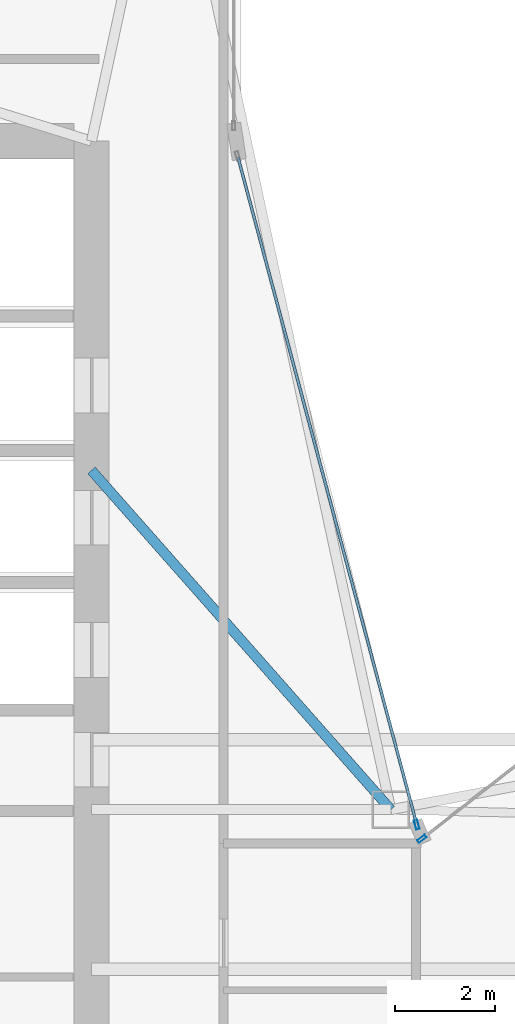
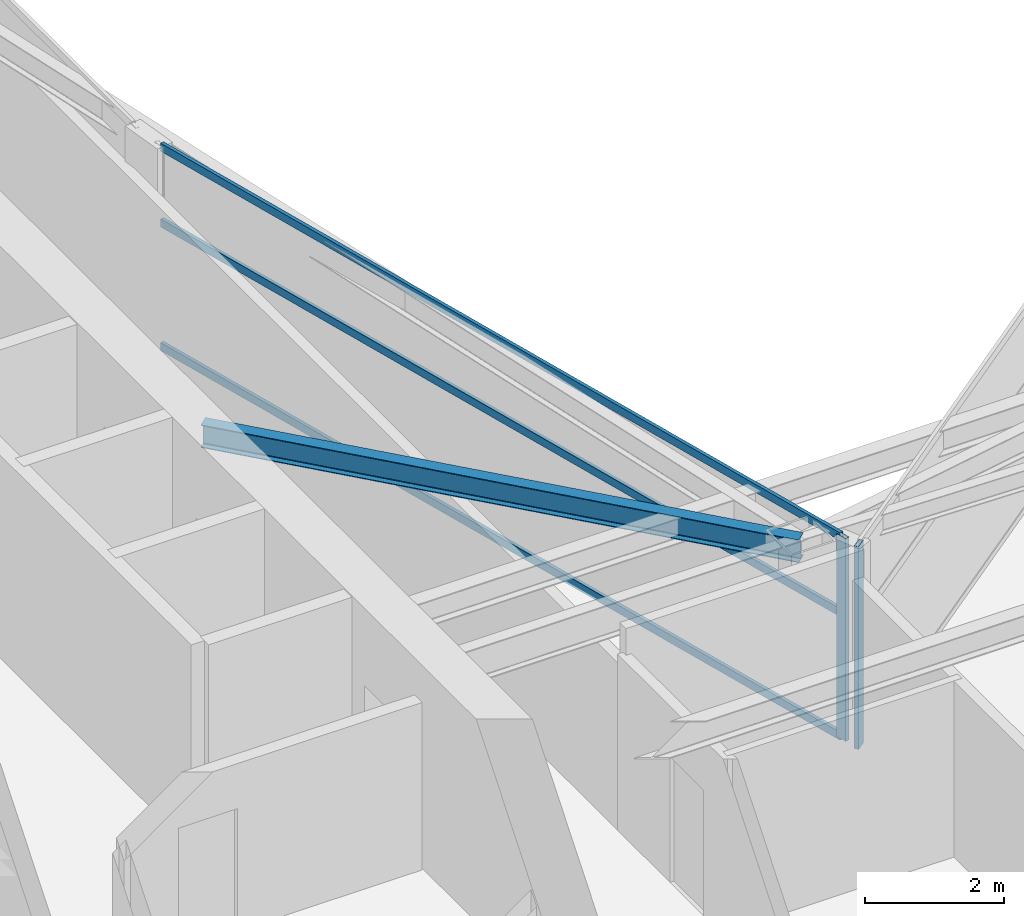
# One storey, part 10 of 30: 5 members, 1 beam, 2 elements without a shape of their own.
"""IFC4 building model written with IfcOpenShell, lengths in metres."""

from ifc_helpers import new_model, si_unit, direction, frame, origin, origin_2d, place, context, subcontext, project, spatial, hollow_rectangle, i_section, extrude, material, layer, layer_set, material_profile, profile_set, type_object, element, aggregate, save


model = new_model("IFC4")

# Units and contexts
model_context = context("Model", 3, precision=1e-05, world=origin(), true_north=direction((0.0, 1.0)))
body_context = subcontext(model_context, "Body", "Model", "MODEL_VIEW")
ifc_project = project(units=[si_unit("LENGTHUNIT", "METRE"), si_unit("AREAUNIT", "SQUARE_METRE"), si_unit("VOLUMEUNIT", "CUBIC_METRE"), si_unit("PLANEANGLEUNIT", "RADIAN"), si_unit("MASSUNIT", "GRAM", prefix="KILO")], contexts=[model_context])

# Site, building, storey
site_placement = place(None, origin())
site = spatial("IfcSite", under=ifc_project, at=site_placement, CompositionType="ELEMENT")
building_placement = place(site_placement, origin())
building = spatial("IfcBuilding", under=site, at=building_placement, Name="Calvorn Quay Hotel", CompositionType="ELEMENT")
storey_placement = place(building_placement, frame((0.0, 0.0, 207.199951171875)))
storey = spatial("IfcBuildingStorey", under=building, at=storey_placement, Name="L51", CompositionType="ELEMENT", Elevation=207.199951171875)

# Beam
ifc_material_1 = material(Name="Steel Q355B", Category="steel")
ifc_material_profile_1 = material_profile(ifc_material_1, i_section(OverallWidth=0.199951171875, OverallDepth=0.39990234375, WebThickness=0.008056640625, FlangeThickness=0.012939453125, FilletRadius=0.01611328125, at=origin_2d()), Name="HN400x200x8x13")
ifc_profile_set_1 = profile_set([ifc_material_profile_1], Name="Steel Q355B")
beam_type = type_object("IfcBeamType", Name="BM-JOIST-TYP", PredefinedType="JOIST", material=ifc_profile_set_1)
beam_placement = place(storey_placement, frame((15.0, 31.800048828125, 3.340087890625), z_axis=(0.661618965899, -0.749840212287, 0.0), x_axis=(0.749840212287, 0.661618965899, 0.0)))
element("IfcBeam", 1, at=beam_placement, inside=storey, type_object=beam_type, Name="Beam BJ-L51-C1", PredefinedType="JOIST", context=body_context, shape_type="SweptSolid", body=[
    extrude(i_section(OverallWidth=0.199951171875, OverallDepth=0.39990234375, WebThickness=0.008056640625, FlangeThickness=0.012939453125, FilletRadius=0.01611328125, at=origin_2d()), origin(), (0.0, 0.0, 1.0), 9.068603515625),
])

# Curtain wall, member
ifc_material_2 = material(Name="Champagne Bronze Anodised Aluminium and Low-E Glass", Category="aluminium")
ifc_layer = layer(ifc_material_2, 0.219970703125)
ifc_layer_set = layer_set([ifc_layer], Name="CW-SYS-Z3")
curtain_wall_type = type_object("IfcCurtainWallType", Name="CW-SYS-Z3", PredefinedType="NOTDEFINED", material=ifc_layer_set)
curtain_wall_1_placement = place(storey_placement, origin())
curtain_wall_1 = element("IfcCurtainWall", 2, at=curtain_wall_1_placement, inside=storey, type_object=curtain_wall_type, Name="Inner Court Curtain Wall L51-NE1", PredefinedType="NOTDEFINED")
ifc_material_3 = material(Name="Champagne Bronze Anodised Aluminium 6063-T6", Category="aluminium")
ifc_material_profile_2 = material_profile(ifc_material_3, hollow_rectangle(XDim=0.068115234375, YDim=0.18505859375, WallThickness=0.00390625, at=origin_2d()), Name="ALU-M185x68x4")
ifc_profile_set_2 = profile_set([ifc_material_profile_2], Name="Champagne Bronze Anodised Aluminium 6063-T6")
member_type_1 = type_object("IfcMemberType", Name="CW-SYS-Z3-MUL", PredefinedType="MULLION", material=ifc_profile_set_2)
member_1_placement = place(storey_placement, frame((21.62353515625, 24.41845703125, 0.0), z_axis=(0.0, 0.0, 1.0), x_axis=(0.615819768044, -0.787887056174, 0.0)))
member_1 = element("IfcMember", 3, at=member_1_placement, type_object=member_type_1, Name="CW-L51-NE1 mullion 3", PredefinedType="MULLION", context=body_context, shape_type="SweptSolid", body=[
    extrude(hollow_rectangle(XDim=0.068115234375, YDim=0.18505859375, WallThickness=0.00390625, at=origin_2d()), origin(), (0.0, 0.0, 1.0), 3.56005859375),
])
aggregate(curtain_wall_1, [member_1])

# Curtain wall, members
curtain_wall_2_placement = place(storey_placement, origin())
curtain_wall_2 = element("IfcCurtainWall", 4, at=curtain_wall_2_placement, inside=storey, type_object=curtain_wall_type, Name="Inner Court Curtain Wall L51-IC1", PredefinedType="NOTDEFINED")
member_2_placement = place(storey_placement, frame((21.520263671875, 24.698974609375, 0.0), z_axis=(0.0, 0.0, 1.0), x_axis=(-0.96593652056, -0.25877913024, 0.0)))
member_2 = element("IfcMember", 5, at=member_2_placement, type_object=member_type_1, Name="CW-L51-IC1 mullion 1", PredefinedType="MULLION", context=body_context, shape_type="SweptSolid", body=[
    extrude(hollow_rectangle(XDim=0.068115234375, YDim=0.18505859375, WallThickness=0.00390625, at=origin_2d()), origin(), (0.0, 0.0, 1.0), 3.56005859375),
])
ifc_material_4 = material(Name="Champagne Bronze Anodised Aluminium 6063-T6", Category="aluminium")
ifc_material_profile_3 = material_profile(ifc_material_4, hollow_rectangle(XDim=0.05810546875, YDim=0.139892578125, WallThickness=0.003173828125, at=origin_2d()), Name="ALU-T140x58x3.2")
ifc_profile_set_3 = profile_set([ifc_material_profile_3], Name="Champagne Bronze Anodised Aluminium 6063-T6")
member_type_2 = type_object("IfcMemberType", Name="CW-SYS-Z3-TRN", PredefinedType="USERDEFINED", material=ifc_profile_set_3)
member_3_placement = place(storey_placement, frame((21.512451171875, 24.72802734375, 0.030029296875), z_axis=(-0.258781136883, 0.965935982969, 0.0), x_axis=(-0.965935982969, -0.258781136883, 0.0)))
member_3 = element("IfcMember", 6, at=member_3_placement, type_object=member_type_2, Name="CW-L51-IC1 transom 1.1", ObjectType="TRANSOM", PredefinedType="USERDEFINED", context=body_context, shape_type="SweptSolid", body=[
    extrude(hollow_rectangle(XDim=0.05810546875, YDim=0.139892578125, WallThickness=0.003173828125, at=origin_2d()), origin(), (0.0, 0.0, 1.0), 13.814453125),
])
member_4_placement = place(storey_placement, frame((21.512451171875, 24.72802734375, 2.199951171875), z_axis=(-0.258781136883, 0.965935982969, 0.0), x_axis=(-0.965935982969, -0.258781136883, 0.0)))
member_4 = element("IfcMember", 7, at=member_4_placement, type_object=member_type_2, Name="CW-L51-IC1 transom 1.2", ObjectType="TRANSOM", PredefinedType="USERDEFINED", context=body_context, shape_type="SweptSolid", body=[
    extrude(hollow_rectangle(XDim=0.05810546875, YDim=0.139892578125, WallThickness=0.003173828125, at=origin_2d()), origin(), (0.0, 0.0, 1.0), 13.814453125),
])
member_5_placement = place(storey_placement, frame((21.512451171875, 24.72802734375, 3.530029296875), z_axis=(-0.258781136883, 0.965935982969, 0.0), x_axis=(-0.965935982969, -0.258781136883, 0.0)))
member_5 = element("IfcMember", 8, at=member_5_placement, type_object=member_type_2, Name="CW-L51-IC1 transom 1.3", ObjectType="TRANSOM", PredefinedType="USERDEFINED", context=body_context, shape_type="SweptSolid", body=[
    extrude(hollow_rectangle(XDim=0.05810546875, YDim=0.139892578125, WallThickness=0.003173828125, at=origin_2d()), origin(), (0.0, 0.0, 1.0), 13.814453125),
])
aggregate(curtain_wall_2, [member_2, member_3, member_4, member_5])

save(model, "model.ifc")
